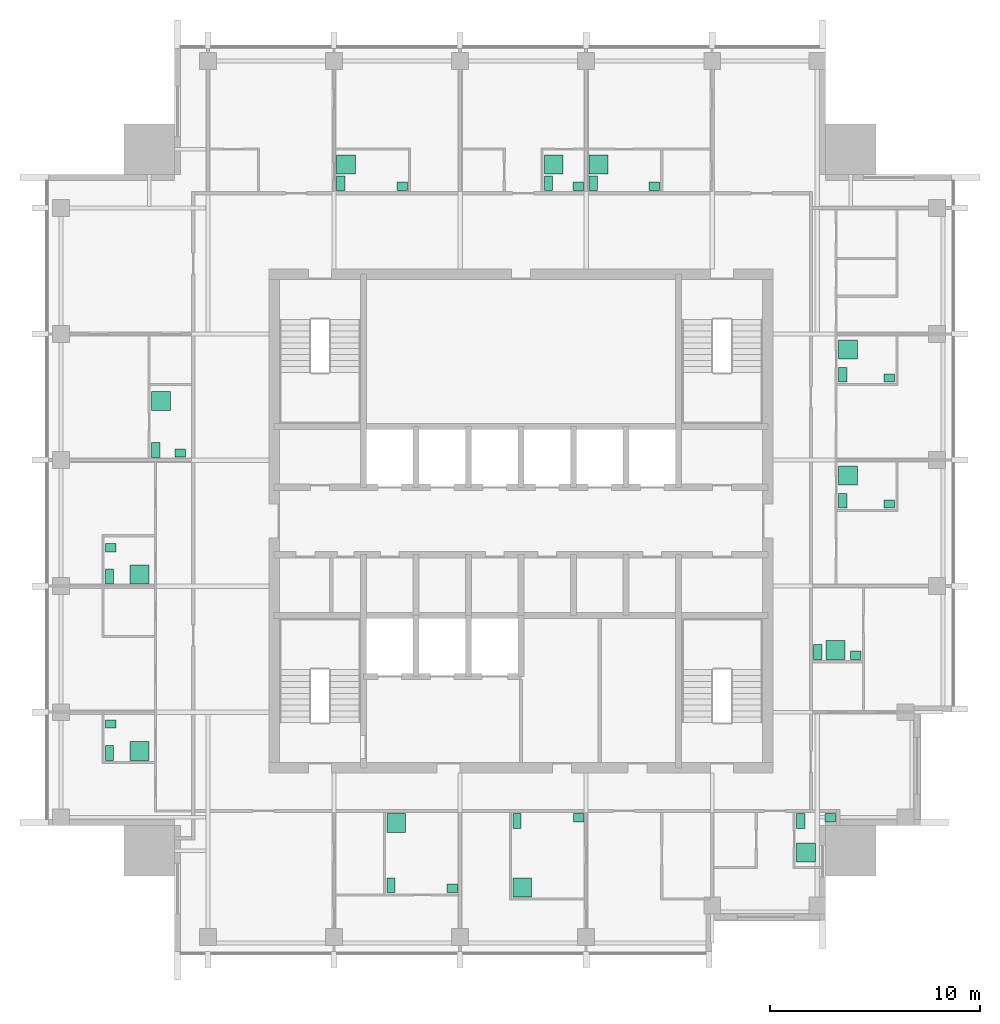
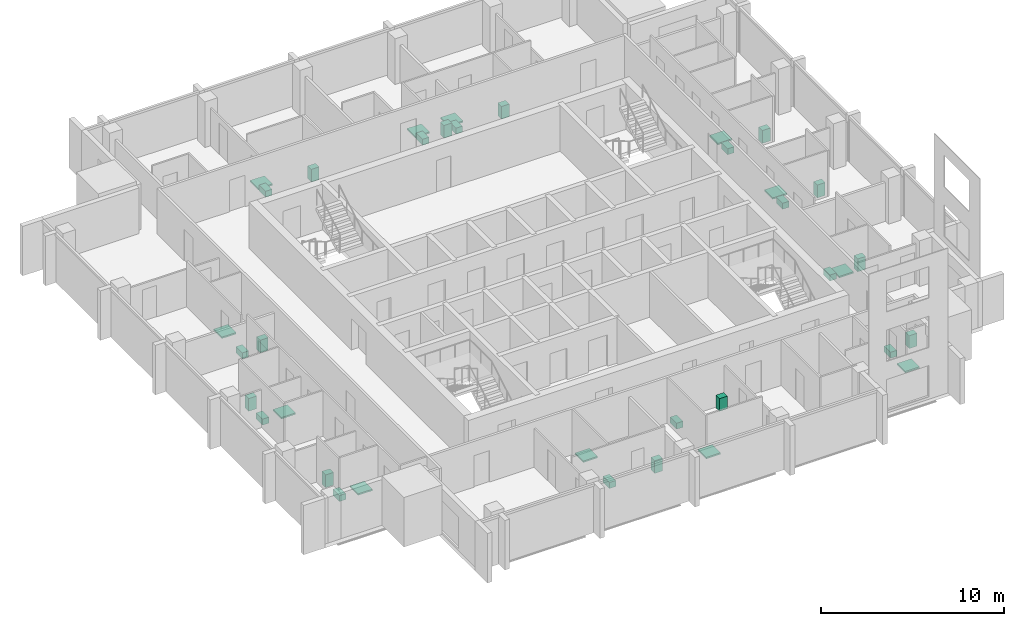
# One storey, part 9 of 9: 36 sanitary terminals.
"""IFC4 building model written with IfcOpenShell, lengths in metres."""

import ifcopenshell
import ifcopenshell.guid

model = None  # the IFC model being written
_history = None  # IfcOwnerHistory: only IFC2X3 demands one
_inside = {}  # id of a spatial element -> (the spatial element, [elements in it])
_under = {}  # id of a project, library or spatial element -> (it, [spatial elements below it])
_declared = {}  # id of a project -> (the project, [libraries it declares])
_typed = {}  # id of a type object -> (the type object, [elements of that type])
_made_of = {}  # id of a material, layer set ... -> (it, [elements and type objects made of it])


def new_model(schema):
    """Start an empty IFC model of exactly this schema.

    Asked for "IFC4X3", IfcOpenShell would pick the latest addendum, in which some entities
    have other attributes; the version numbers below select the first issue.
    IFC2X3 requires an IfcOwnerHistory on every rooted entity: one is made here for all.
    """
    global model, _history
    if schema == "IFC4X3":
        model = ifcopenshell.file(schema_version=(4, 3, 0, 0))
    else:
        model = ifcopenshell.file(schema=schema)
    _inside.clear()
    _under.clear()
    _declared.clear()
    _typed.clear()
    _made_of.clear()
    _history = None
    if model.schema == "IFC2X3":
        org = make("IfcOrganization", Name="unknown")
        user = make(
            "IfcPersonAndOrganization",
            ThePerson=make("IfcPerson", FamilyName="unknown"),
            TheOrganization=org,
        )
        app = make(
            "IfcApplication",
            ApplicationDeveloper=org,
            Version="unknown",
            ApplicationFullName="unknown",
            ApplicationIdentifier="unknown",
        )
        _history = make(
            "IfcOwnerHistory",
            OwningUser=user,
            OwningApplication=app,
            ChangeAction="ADDED",
            CreationDate=0,
        )
    return model


def make(cls, **values):
    """One entity of the class cls with the attributes given. An attribute that is None is left unset."""
    return model.create_entity(
        cls, **{name: value for name, value in values.items() if value is not None}
    )


def rooted(cls, **values):
    """An entity with a GlobalId (a new one), such as an element, a storey or a relation."""
    return make(cls, GlobalId=ifcopenshell.guid.new(), OwnerHistory=_history, **values)


def si_unit(unit_type, name, prefix=None):
    """IfcSIUnit, for example si_unit("LENGTHUNIT", "METRE", prefix="MILLI")."""
    return make("IfcSIUnit", UnitType=unit_type, Prefix=prefix, Name=name)


def assignment(units):
    """IfcUnitAssignment: the units of a project."""
    return None if units is None else make("IfcUnitAssignment", Units=units)


def point(xyz):
    """IfcCartesianPoint."""
    return None if xyz is None else make("IfcCartesianPoint", Coordinates=xyz)


def direction(xyz):
    """IfcDirection."""
    return None if xyz is None else make("IfcDirection", DirectionRatios=xyz)


def frame(location, z_axis=None, x_axis=None):
    """IfcAxis2Placement3D, a coordinate frame: its origin and axes. An axis left out is left unset."""
    return make(
        "IfcAxis2Placement3D",
        Location=point(location),
        Axis=direction(z_axis),
        RefDirection=direction(x_axis),
    )


def frame_2d(location, x_axis=None):
    """IfcAxis2Placement2D, a coordinate frame in the plane: its origin and x axis."""
    return make(
        "IfcAxis2Placement2D", Location=point(location), RefDirection=direction(x_axis)
    )


def origin():
    """The frame at (0, 0, 0) with its axes left unset."""
    return frame((0.0, 0.0, 0.0))


def origin_2d():
    """The frame at (0, 0) in the plane with its x axis left unset."""
    return frame_2d((0.0, 0.0))


def place(relative_to, where):
    """IfcLocalPlacement: puts the frame where relative to a parent placement (None: the world)."""
    return make(
        "IfcLocalPlacement", PlacementRelTo=relative_to, RelativePlacement=where
    )


def context(
    kind, dimensions, precision=None, world=None, true_north=None, identifier=None
):
    """IfcGeometricRepresentationContext, for example the 3D "Model" context."""
    return make(
        "IfcGeometricRepresentationContext",
        ContextIdentifier=identifier,
        ContextType=kind,
        CoordinateSpaceDimension=dimensions,
        Precision=precision,
        WorldCoordinateSystem=world,
        TrueNorth=true_north,
    )


def subcontext(parent, identifier, kind, view, scale=None):
    """IfcGeometricRepresentationSubContext, for example "Body" below "Model"."""
    return make(
        "IfcGeometricRepresentationSubContext",
        ContextIdentifier=identifier,
        ContextType=kind,
        ParentContext=parent,
        TargetScale=scale,
        TargetView=view,
    )


def project(units=None, contexts=None):
    """IfcProject with its units and contexts."""
    return rooted(
        "IfcProject",
        Name="project",
        RepresentationContexts=contexts,
        UnitsInContext=assignment(units),
    )


def spatial(cls, under=None, at=None, **own):
    """A site, building, storey or space (cls), placed at a placement, below another one or the project."""
    s = rooted(cls, ObjectPlacement=at, **own)
    if under is not None:
        _under.setdefault(under.id(), (under, []))[1].append(s)
    return s


def profile(cls, at=None, kind="AREA", **sizes):
    """A parametric profile (cls). Its sizes go by their IFC names, for example OverallWidth=200.0."""
    return make(cls, ProfileType=kind, Position=at, **sizes)


def rectangle(**sizes):
    """IfcRectangleProfileDef."""
    return profile("IfcRectangleProfileDef", **sizes)


def extrude(swept, where, along, depth):
    """IfcExtrudedAreaSolid: the profile swept, set in the frame where, extruded along a direction by depth."""
    return make(
        "IfcExtrudedAreaSolid",
        SweptArea=swept,
        Position=where,
        ExtrudedDirection=direction(along),
        Depth=depth,
    )


def shape(context_of_items, identifier, shape_type, items):
    """IfcShapeRepresentation: the items that make up one representation, for example the "Body"."""
    return make(
        "IfcShapeRepresentation",
        ContextOfItems=context_of_items,
        RepresentationIdentifier=identifier,
        RepresentationType=shape_type,
        Items=items,
    )


def made_of(thing, what):
    """Note that an element or type object is made of a material, layer set ...; save() writes the relation."""
    if what is not None:
        _made_of.setdefault(what.id(), (what, []))[1].append(thing)
    return thing


def element(
    cls,
    number,
    at=None,
    inside=None,
    cuts=None,
    type_object=None,
    material=None,
    context=None,
    identifier="Body",
    shape_type=None,
    held_by="IfcProductDefinitionShape",
    body=None,
    shapes=None,
    **own,
):
    """One element of the class cls, such as IfcWall. Its Tag is "e" and its number.

    at: its placement. inside: the storey or other place that contains it. cuts: it is an
    opening in that element (IfcRelVoidsElement). A single representation is given by context,
    identifier, shape_type and body (its items); several are given by shapes. held_by: the class
    of the entity that holds the representations. save() writes the other relations.
    """
    e = rooted(cls, Tag="e%d" % number, ObjectPlacement=at, **own)
    if body is not None:
        shapes = [shape(context, identifier, shape_type, body)]
    if shapes is not None:
        e.Representation = make(held_by, Representations=shapes)
    if inside is not None:
        _inside.setdefault(inside.id(), (inside, []))[1].append(e)
    if cuts is not None:
        rooted(
            "IfcRelVoidsElement", RelatingBuildingElement=cuts, RelatedOpeningElement=e
        )
    if type_object is not None:
        _typed.setdefault(type_object.id(), (type_object, []))[1].append(e)
    return made_of(e, material)


def aggregate(whole, parts):
    """IfcRelAggregates: a whole, such as a stair, and the parts it consists of."""
    return rooted("IfcRelAggregates", RelatingObject=whole, RelatedObjects=parts)


def save(model, path):
    """Write the relations noted so far, then the file.

    IfcRelAggregates (storeys below a building ...), IfcRelContainedInSpatialStructure (elements
    in a storey), IfcRelDefinesByType, IfcRelAssociatesMaterial and IfcRelDeclares: one each for
    every whole, place, type object, material and project.
    """
    for whole, parts in _under.values():
        aggregate(whole, parts)
    for where, things in _inside.values():
        rooted(
            "IfcRelContainedInSpatialStructure",
            RelatedElements=things,
            RelatingStructure=where,
        )
    for kind, things in _typed.values():
        rooted("IfcRelDefinesByType", RelatedObjects=things, RelatingType=kind)
    for what, things in _made_of.values():
        rooted("IfcRelAssociatesMaterial", RelatedObjects=things, RelatingMaterial=what)
    for by, libraries in _declared.values():
        rooted("IfcRelDeclares", RelatingContext=by, RelatedDefinitions=libraries)
    model.write(path)


model = new_model("IFC4")

# Units and contexts
model_context = context("Model", 3, precision=1e-05, world=origin(), true_north=direction((0.0, 1.0)))
body_context = subcontext(model_context, "Body", "Model", "MODEL_VIEW")
ifc_project = project(units=[si_unit("LENGTHUNIT", "METRE"), si_unit("AREAUNIT", "SQUARE_METRE"), si_unit("VOLUMEUNIT", "CUBIC_METRE"), si_unit("PLANEANGLEUNIT", "RADIAN"), si_unit("MASSUNIT", "GRAM", prefix="KILO")], contexts=[model_context])

# Site, building, storey
site_placement = place(None, origin())
site = spatial("IfcSite", under=ifc_project, at=site_placement, CompositionType="ELEMENT")
building_placement = place(site_placement, origin())
building = spatial("IfcBuilding", under=site, at=building_placement, Name="Amberfall Residences", CompositionType="ELEMENT")
storey_placement = place(building_placement, frame((0.0, 0.0, 258.699951171875)))
storey = spatial("IfcBuildingStorey", under=building, at=storey_placement, Name="L69", CompositionType="ELEMENT", Elevation=258.699951171875)

# Sanitary terminals
sanitary_terminal_1_placement = place(storey_placement, frame((68.31005859375, 28.159912109375, 0.0), z_axis=(0.0, 0.0, 1.0), x_axis=(1.0, 0.0, 0.0)))
element("IfcSanitaryTerminal", 1, at=sanitary_terminal_1_placement, inside=storey, Name="Water closet 6901", PredefinedType="TOILETPAN", context=body_context, shape_type="SweptSolid", body=[
    extrude(rectangle(XDim=0.39990234375, YDim=0.699951171875, at=origin_2d()), origin(), (0.0, 0.0, 1.0), 0.39990234375),
])
sanitary_terminal_2_placement = place(storey_placement, frame((71.215087890625, 28.010009765625, 0.0), z_axis=(0.0, 0.0, 1.0), x_axis=(1.0, 0.0, 0.0)))
element("IfcSanitaryTerminal", 2, at=sanitary_terminal_2_placement, inside=storey, Name="Basin 6901", PredefinedType="WASHHANDBASIN", context=body_context, shape_type="SweptSolid", body=[
    extrude(rectangle(XDim=0.5, YDim=0.39990234375, at=origin_2d()), origin(), (0.0, 0.0, 1.0), 0.85009765625),
])
sanitary_terminal_3_placement = place(storey_placement, frame((68.56005859375, 31.114990234375, 0.0), z_axis=(0.0, 0.0, 1.0), x_axis=(1.0, 0.0, 0.0)))
element("IfcSanitaryTerminal", 3, at=sanitary_terminal_3_placement, inside=storey, Name="Shower tray 6901", PredefinedType="SHOWER", context=body_context, shape_type="SweptSolid", body=[
    extrude(rectangle(XDim=0.89990234375, YDim=0.89990234375, at=origin_2d()), origin(), (0.0, 0.0, 1.0), 0.10009765625),
])
sanitary_terminal_4_placement = place(storey_placement, frame((74.31005859375, 31.215087890625, 0.0), z_axis=(0.0, 0.0, 1.0), x_axis=(1.0, 0.0, 0.0)))
element("IfcSanitaryTerminal", 4, at=sanitary_terminal_4_placement, inside=storey, Name="Water closet 6902", PredefinedType="TOILETPAN", context=body_context, shape_type="SweptSolid", body=[
    extrude(rectangle(XDim=0.39990234375, YDim=0.699951171875, at=origin_2d()), origin(), (0.0, 0.0, 1.0), 0.39990234375),
])
sanitary_terminal_5_placement = place(storey_placement, frame((77.239990234375, 31.364990234375, 0.0), z_axis=(0.0, 0.0, 1.0), x_axis=(1.0, 0.0, 0.0)))
element("IfcSanitaryTerminal", 5, at=sanitary_terminal_5_placement, inside=storey, Name="Basin 6902", PredefinedType="WASHHANDBASIN", context=body_context, shape_type="SweptSolid", body=[
    extrude(rectangle(XDim=0.5, YDim=0.39990234375, at=origin_2d()), origin(), (0.0, 0.0, 1.0), 0.85009765625),
])
sanitary_terminal_6_placement = place(storey_placement, frame((74.56005859375, 28.06005859375, 0.0), z_axis=(0.0, 0.0, 1.0), x_axis=(1.0, 0.0, 0.0)))
element("IfcSanitaryTerminal", 6, at=sanitary_terminal_6_placement, inside=storey, Name="Shower tray 6902", PredefinedType="SHOWER", context=body_context, shape_type="SweptSolid", body=[
    extrude(rectangle(XDim=0.89990234375, YDim=0.89990234375, at=origin_2d()), origin(), (0.0, 0.0, 1.0), 0.10009765625),
])
sanitary_terminal_7_placement = place(storey_placement, frame((87.81005859375, 31.215087890625, 0.0), z_axis=(0.0, 0.0, 1.0), x_axis=(1.0, 0.0, 0.0)))
element("IfcSanitaryTerminal", 7, at=sanitary_terminal_7_placement, inside=storey, Name="Water closet 6903", PredefinedType="TOILETPAN", context=body_context, shape_type="SweptSolid", body=[
    extrude(rectangle(XDim=0.39990234375, YDim=0.699951171875, at=origin_2d()), origin(), (0.0, 0.0, 1.0), 0.39990234375),
])
sanitary_terminal_8_placement = place(storey_placement, frame((89.215087890625, 31.364990234375, 0.0), z_axis=(0.0, 0.0, 1.0), x_axis=(1.0, 0.0, 0.0)))
element("IfcSanitaryTerminal", 8, at=sanitary_terminal_8_placement, inside=storey, Name="Basin 6903", PredefinedType="WASHHANDBASIN", context=body_context, shape_type="SweptSolid", body=[
    extrude(rectangle(XDim=0.5, YDim=0.39990234375, at=origin_2d()), origin(), (0.0, 0.0, 1.0), 0.85009765625),
])
sanitary_terminal_9_placement = place(storey_placement, frame((88.06005859375, 29.710693359375, 0.0), z_axis=(0.0, 0.0, 1.0), x_axis=(1.0, 0.0, 0.0)))
element("IfcSanitaryTerminal", 9, at=sanitary_terminal_9_placement, inside=storey, Name="Shower tray 6903", PredefinedType="SHOWER", context=body_context, shape_type="SweptSolid", body=[
    extrude(rectangle(XDim=0.89990234375, YDim=0.89990234375, at=origin_2d()), origin(), (0.0, 0.0, 1.0), 0.10009765625),
])
sanitary_terminal_10_placement = place(storey_placement, frame((88.635009765625, 39.260009765625, 0.0), z_axis=(0.0, 0.0, 1.0), x_axis=(1.0, 0.0, 0.0)))
element("IfcSanitaryTerminal", 10, at=sanitary_terminal_10_placement, inside=storey, Name="Water closet 6904", PredefinedType="TOILETPAN", context=body_context, shape_type="SweptSolid", body=[
    extrude(rectangle(XDim=0.39990234375, YDim=0.699951171875, at=origin_2d()), origin(), (0.0, 0.0, 1.0), 0.39990234375),
])
sanitary_terminal_11_placement = place(storey_placement, frame((90.43994140625, 39.110107421875, 0.0), z_axis=(0.0, 0.0, 1.0), x_axis=(1.0, 0.0, 0.0)))
element("IfcSanitaryTerminal", 11, at=sanitary_terminal_11_placement, inside=storey, Name="Basin 6904", PredefinedType="WASHHANDBASIN", context=body_context, shape_type="SweptSolid", body=[
    extrude(rectangle(XDim=0.5, YDim=0.39990234375, at=origin_2d()), origin(), (0.0, 0.0, 1.0), 0.85009765625),
])
sanitary_terminal_12_placement = place(storey_placement, frame((89.4658203125, 39.360107421875, 0.0), z_axis=(0.0, 0.0, 1.0), x_axis=(1.0, 0.0, 0.0)))
element("IfcSanitaryTerminal", 12, at=sanitary_terminal_12_placement, inside=storey, Name="Shower tray 6904", PredefinedType="SHOWER", context=body_context, shape_type="SweptSolid", body=[
    extrude(rectangle(XDim=0.89990234375, YDim=0.89990234375, at=origin_2d()), origin(), (0.0, 0.0, 1.0), 0.10009765625),
])
sanitary_terminal_13_placement = place(storey_placement, frame((89.81005859375, 46.4599609375, 0.0), z_axis=(0.0, 0.0, 1.0), x_axis=(1.0, 0.0, 0.0)))
element("IfcSanitaryTerminal", 13, at=sanitary_terminal_13_placement, inside=storey, Name="Water closet 6905", PredefinedType="TOILETPAN", context=body_context, shape_type="SweptSolid", body=[
    extrude(rectangle(XDim=0.39990234375, YDim=0.699951171875, at=origin_2d()), origin(), (0.0, 0.0, 1.0), 0.39990234375),
])
sanitary_terminal_14_placement = place(storey_placement, frame((92.0400390625, 46.31005859375, 0.0), z_axis=(0.0, 0.0, 1.0), x_axis=(1.0, 0.0, 0.0)))
element("IfcSanitaryTerminal", 14, at=sanitary_terminal_14_placement, inside=storey, Name="Basin 6905", PredefinedType="WASHHANDBASIN", context=body_context, shape_type="SweptSolid", body=[
    extrude(rectangle(XDim=0.5, YDim=0.39990234375, at=origin_2d()), origin(), (0.0, 0.0, 1.0), 0.85009765625),
])
sanitary_terminal_15_placement = place(storey_placement, frame((90.06005859375, 47.6572265625, 0.0), z_axis=(0.0, 0.0, 1.0), x_axis=(1.0, 0.0, 0.0)))
element("IfcSanitaryTerminal", 15, at=sanitary_terminal_15_placement, inside=storey, Name="Shower tray 6905", PredefinedType="SHOWER", context=body_context, shape_type="SweptSolid", body=[
    extrude(rectangle(XDim=0.89990234375, YDim=0.89990234375, at=origin_2d()), origin(), (0.0, 0.0, 1.0), 0.10009765625),
])
sanitary_terminal_16_placement = place(storey_placement, frame((89.81005859375, 52.4599609375, 0.0), z_axis=(0.0, 0.0, 1.0), x_axis=(1.0, 0.0, 0.0)))
element("IfcSanitaryTerminal", 16, at=sanitary_terminal_16_placement, inside=storey, Name="Water closet 6905", PredefinedType="TOILETPAN", context=body_context, shape_type="SweptSolid", body=[
    extrude(rectangle(XDim=0.39990234375, YDim=0.699951171875, at=origin_2d()), origin(), (0.0, 0.0, 1.0), 0.39990234375),
])
sanitary_terminal_17_placement = place(storey_placement, frame((92.0400390625, 52.31005859375, 0.0), z_axis=(0.0, 0.0, 1.0), x_axis=(1.0, 0.0, 0.0)))
element("IfcSanitaryTerminal", 17, at=sanitary_terminal_17_placement, inside=storey, Name="Basin 6905", PredefinedType="WASHHANDBASIN", context=body_context, shape_type="SweptSolid", body=[
    extrude(rectangle(XDim=0.5, YDim=0.39990234375, at=origin_2d()), origin(), (0.0, 0.0, 1.0), 0.85009765625),
])
sanitary_terminal_18_placement = place(storey_placement, frame((90.06005859375, 53.6572265625, 0.0), z_axis=(0.0, 0.0, 1.0), x_axis=(1.0, 0.0, 0.0)))
element("IfcSanitaryTerminal", 18, at=sanitary_terminal_18_placement, inside=storey, Name="Shower tray 6905", PredefinedType="SHOWER", context=body_context, shape_type="SweptSolid", body=[
    extrude(rectangle(XDim=0.89990234375, YDim=0.89990234375, at=origin_2d()), origin(), (0.0, 0.0, 1.0), 0.10009765625),
])
sanitary_terminal_19_placement = place(storey_placement, frame((65.909912109375, 61.5849609375, 0.0), z_axis=(0.0, 0.0, 1.0), x_axis=(1.0, 0.0, 0.0)))
element("IfcSanitaryTerminal", 19, at=sanitary_terminal_19_placement, inside=storey, Name="Water closet 6906", PredefinedType="TOILETPAN", context=body_context, shape_type="SweptSolid", body=[
    extrude(rectangle(XDim=0.39990234375, YDim=0.699951171875, at=origin_2d()), origin(), (0.0, 0.0, 1.0), 0.39990234375),
])
sanitary_terminal_20_placement = place(storey_placement, frame((68.840087890625, 61.43505859375, 0.0), z_axis=(0.0, 0.0, 1.0), x_axis=(1.0, 0.0, 0.0)))
element("IfcSanitaryTerminal", 20, at=sanitary_terminal_20_placement, inside=storey, Name="Basin 6906", PredefinedType="WASHHANDBASIN", context=body_context, shape_type="SweptSolid", body=[
    extrude(rectangle(XDim=0.5, YDim=0.39990234375, at=origin_2d()), origin(), (0.0, 0.0, 1.0), 0.85009765625),
])
sanitary_terminal_21_placement = place(storey_placement, frame((66.159912109375, 62.480712890625, 0.0), z_axis=(0.0, 0.0, 1.0), x_axis=(1.0, 0.0, 0.0)))
element("IfcSanitaryTerminal", 21, at=sanitary_terminal_21_placement, inside=storey, Name="Shower tray 6906", PredefinedType="SHOWER", context=body_context, shape_type="SweptSolid", body=[
    extrude(rectangle(XDim=0.89990234375, YDim=0.89990234375, at=origin_2d()), origin(), (0.0, 0.0, 1.0), 0.10009765625),
])
sanitary_terminal_22_placement = place(storey_placement, frame((75.81005859375, 61.5849609375, 0.0), z_axis=(0.0, 0.0, 1.0), x_axis=(1.0, 0.0, 0.0)))
element("IfcSanitaryTerminal", 22, at=sanitary_terminal_22_placement, inside=storey, Name="Water closet 6907", PredefinedType="TOILETPAN", context=body_context, shape_type="SweptSolid", body=[
    extrude(rectangle(XDim=0.39990234375, YDim=0.699951171875, at=origin_2d()), origin(), (0.0, 0.0, 1.0), 0.39990234375),
])
sanitary_terminal_23_placement = place(storey_placement, frame((77.215087890625, 61.43505859375, 0.0), z_axis=(0.0, 0.0, 1.0), x_axis=(1.0, 0.0, 0.0)))
element("IfcSanitaryTerminal", 23, at=sanitary_terminal_23_placement, inside=storey, Name="Basin 6907", PredefinedType="WASHHANDBASIN", context=body_context, shape_type="SweptSolid", body=[
    extrude(rectangle(XDim=0.5, YDim=0.39990234375, at=origin_2d()), origin(), (0.0, 0.0, 1.0), 0.85009765625),
])
sanitary_terminal_24_placement = place(storey_placement, frame((76.06005859375, 62.480712890625, 0.0), z_axis=(0.0, 0.0, 1.0), x_axis=(1.0, 0.0, 0.0)))
element("IfcSanitaryTerminal", 24, at=sanitary_terminal_24_placement, inside=storey, Name="Shower tray 6907", PredefinedType="SHOWER", context=body_context, shape_type="SweptSolid", body=[
    extrude(rectangle(XDim=0.89990234375, YDim=0.89990234375, at=origin_2d()), origin(), (0.0, 0.0, 1.0), 0.10009765625),
])
sanitary_terminal_25_placement = place(storey_placement, frame((77.93505859375, 61.5849609375, 0.0), z_axis=(0.0, 0.0, 1.0), x_axis=(1.0, 0.0, 0.0)))
element("IfcSanitaryTerminal", 25, at=sanitary_terminal_25_placement, inside=storey, Name="Water closet 6908", PredefinedType="TOILETPAN", context=body_context, shape_type="SweptSolid", body=[
    extrude(rectangle(XDim=0.39990234375, YDim=0.699951171875, at=origin_2d()), origin(), (0.0, 0.0, 1.0), 0.39990234375),
])
sanitary_terminal_26_placement = place(storey_placement, frame((80.840087890625, 61.43505859375, 0.0), z_axis=(0.0, 0.0, 1.0), x_axis=(1.0, 0.0, 0.0)))
element("IfcSanitaryTerminal", 26, at=sanitary_terminal_26_placement, inside=storey, Name="Basin 6908", PredefinedType="WASHHANDBASIN", context=body_context, shape_type="SweptSolid", body=[
    extrude(rectangle(XDim=0.5, YDim=0.39990234375, at=origin_2d()), origin(), (0.0, 0.0, 1.0), 0.85009765625),
])
sanitary_terminal_27_placement = place(storey_placement, frame((78.18505859375, 62.480712890625, 0.0), z_axis=(0.0, 0.0, 1.0), x_axis=(1.0, 0.0, 0.0)))
element("IfcSanitaryTerminal", 27, at=sanitary_terminal_27_placement, inside=storey, Name="Shower tray 6908", PredefinedType="SHOWER", context=body_context, shape_type="SweptSolid", body=[
    extrude(rectangle(XDim=0.89990234375, YDim=0.89990234375, at=origin_2d()), origin(), (0.0, 0.0, 1.0), 0.10009765625),
])
sanitary_terminal_28_placement = place(storey_placement, frame((54.909912109375, 34.4599609375, 0.0), z_axis=(0.0, 0.0, 1.0), x_axis=(1.0, 0.0, 0.0)))
element("IfcSanitaryTerminal", 28, at=sanitary_terminal_28_placement, inside=storey, Name="Water closet 6909", PredefinedType="TOILETPAN", context=body_context, shape_type="SweptSolid", body=[
    extrude(rectangle(XDim=0.39990234375, YDim=0.699951171875, at=origin_2d()), origin(), (0.0, 0.0, 1.0), 0.39990234375),
])
sanitary_terminal_29_placement = place(storey_placement, frame((54.9599609375, 35.835693359375, 0.0), z_axis=(0.0, 0.0, 1.0), x_axis=(1.0, 0.0, 0.0)))
element("IfcSanitaryTerminal", 29, at=sanitary_terminal_29_placement, inside=storey, Name="Basin 6909", PredefinedType="WASHHANDBASIN", context=body_context, shape_type="SweptSolid", body=[
    extrude(rectangle(XDim=0.5, YDim=0.39990234375, at=origin_2d()), origin(), (0.0, 0.0, 1.0), 0.85009765625),
])
sanitary_terminal_30_placement = place(storey_placement, frame((56.3427734375, 34.56005859375, 0.0), z_axis=(0.0, 0.0, 1.0), x_axis=(1.0, 0.0, 0.0)))
element("IfcSanitaryTerminal", 30, at=sanitary_terminal_30_placement, inside=storey, Name="Shower tray 6909", PredefinedType="SHOWER", context=body_context, shape_type="SweptSolid", body=[
    extrude(rectangle(XDim=0.89990234375, YDim=0.89990234375, at=origin_2d()), origin(), (0.0, 0.0, 1.0), 0.10009765625),
])
sanitary_terminal_31_placement = place(storey_placement, frame((54.909912109375, 42.860107421875, 0.0), z_axis=(0.0, 0.0, 1.0), x_axis=(1.0, 0.0, 0.0)))
element("IfcSanitaryTerminal", 31, at=sanitary_terminal_31_placement, inside=storey, Name="Water closet 6909", PredefinedType="TOILETPAN", context=body_context, shape_type="SweptSolid", body=[
    extrude(rectangle(XDim=0.39990234375, YDim=0.699951171875, at=origin_2d()), origin(), (0.0, 0.0, 1.0), 0.39990234375),
])
sanitary_terminal_32_placement = place(storey_placement, frame((54.9599609375, 44.235595703125, 0.0), z_axis=(0.0, 0.0, 1.0), x_axis=(1.0, 0.0, 0.0)))
element("IfcSanitaryTerminal", 32, at=sanitary_terminal_32_placement, inside=storey, Name="Basin 6909", PredefinedType="WASHHANDBASIN", context=body_context, shape_type="SweptSolid", body=[
    extrude(rectangle(XDim=0.5, YDim=0.39990234375, at=origin_2d()), origin(), (0.0, 0.0, 1.0), 0.85009765625),
])
sanitary_terminal_33_placement = place(storey_placement, frame((56.3427734375, 42.9599609375, 0.0), z_axis=(0.0, 0.0, 1.0), x_axis=(1.0, 0.0, 0.0)))
element("IfcSanitaryTerminal", 33, at=sanitary_terminal_33_placement, inside=storey, Name="Shower tray 6909", PredefinedType="SHOWER", context=body_context, shape_type="SweptSolid", body=[
    extrude(rectangle(XDim=0.89990234375, YDim=0.89990234375, at=origin_2d()), origin(), (0.0, 0.0, 1.0), 0.10009765625),
])
sanitary_terminal_34_placement = place(storey_placement, frame((57.110107421875, 48.885009765625, 0.0), z_axis=(0.0, 0.0, 1.0), x_axis=(1.0, 0.0, 0.0)))
element("IfcSanitaryTerminal", 34, at=sanitary_terminal_34_placement, inside=storey, Name="Water closet 6910", PredefinedType="TOILETPAN", context=body_context, shape_type="SweptSolid", body=[
    extrude(rectangle(XDim=0.39990234375, YDim=0.699951171875, at=origin_2d()), origin(), (0.0, 0.0, 1.0), 0.39990234375),
])
sanitary_terminal_35_placement = place(storey_placement, frame((58.2890625, 48.735107421875, 0.0), z_axis=(0.0, 0.0, 1.0), x_axis=(1.0, 0.0, 0.0)))
element("IfcSanitaryTerminal", 35, at=sanitary_terminal_35_placement, inside=storey, Name="Basin 6910", PredefinedType="WASHHANDBASIN", context=body_context, shape_type="SweptSolid", body=[
    extrude(rectangle(XDim=0.5, YDim=0.39990234375, at=origin_2d()), origin(), (0.0, 0.0, 1.0), 0.85009765625),
])
sanitary_terminal_36_placement = place(storey_placement, frame((57.360107421875, 51.216796875, 0.0), z_axis=(0.0, 0.0, 1.0), x_axis=(1.0, 0.0, 0.0)))
element("IfcSanitaryTerminal", 36, at=sanitary_terminal_36_placement, inside=storey, Name="Shower tray 6910", PredefinedType="SHOWER", context=body_context, shape_type="SweptSolid", body=[
    extrude(rectangle(XDim=0.89990234375, YDim=0.89990234375, at=origin_2d()), origin(), (0.0, 0.0, 1.0), 0.10009765625),
])

save(model, "model.ifc")
